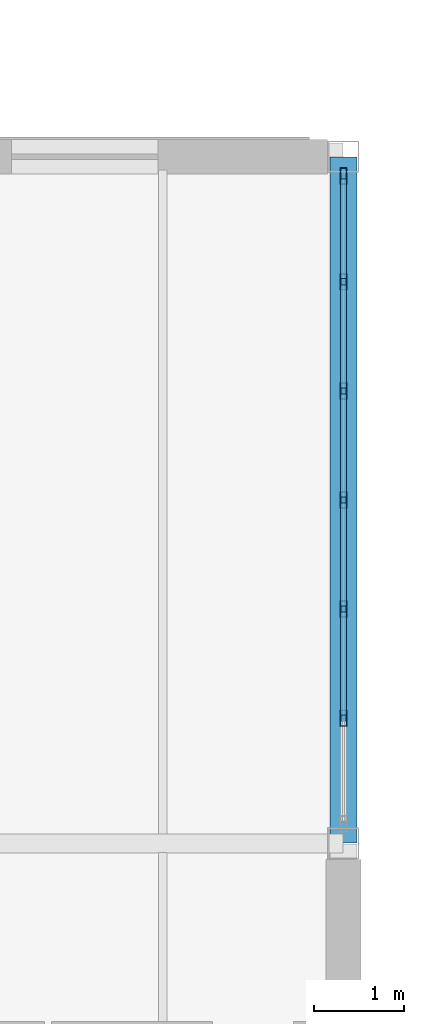
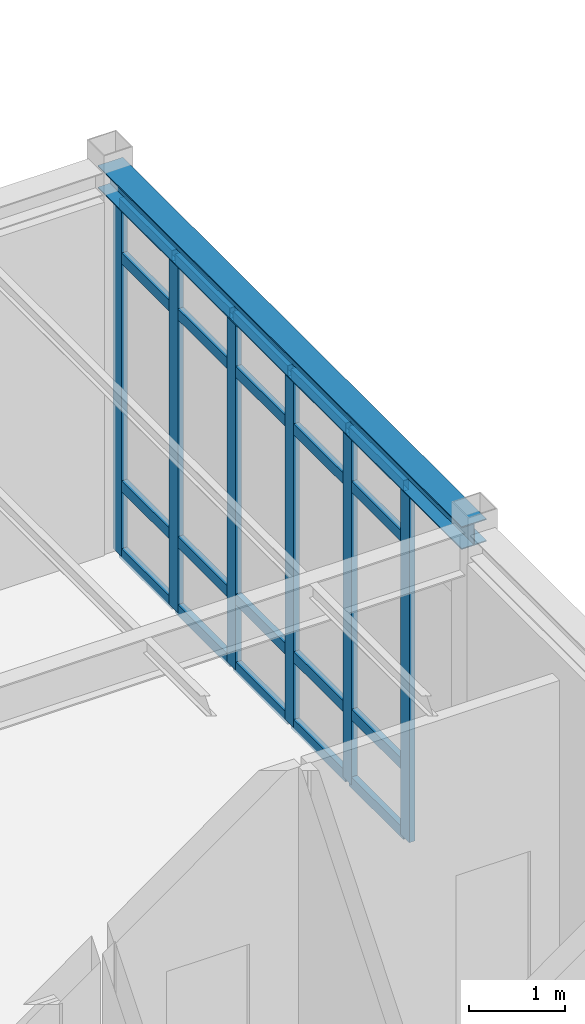
# One storey, part 70 of 109: 26 members, 1 beam, 1 element without a shape of its own.
"""IFC4 building model written with IfcOpenShell, lengths in metres."""

import ifcopenshell
import ifcopenshell.guid

model = None  # the IFC model being written
_history = None  # IfcOwnerHistory: only IFC2X3 demands one
_inside = {}  # id of a spatial element -> (the spatial element, [elements in it])
_under = {}  # id of a project, library or spatial element -> (it, [spatial elements below it])
_declared = {}  # id of a project -> (the project, [libraries it declares])
_typed = {}  # id of a type object -> (the type object, [elements of that type])
_made_of = {}  # id of a material, layer set ... -> (it, [elements and type objects made of it])


def new_model(schema):
    """Start an empty IFC model of exactly this schema.

    Asked for "IFC4X3", IfcOpenShell would pick the latest addendum, in which some entities
    have other attributes; the version numbers below select the first issue.
    IFC2X3 requires an IfcOwnerHistory on every rooted entity: one is made here for all.
    """
    global model, _history
    if schema == "IFC4X3":
        model = ifcopenshell.file(schema_version=(4, 3, 0, 0))
    else:
        model = ifcopenshell.file(schema=schema)
    _inside.clear()
    _under.clear()
    _declared.clear()
    _typed.clear()
    _made_of.clear()
    _history = None
    if model.schema == "IFC2X3":
        org = make("IfcOrganization", Name="unknown")
        user = make(
            "IfcPersonAndOrganization",
            ThePerson=make("IfcPerson", FamilyName="unknown"),
            TheOrganization=org,
        )
        app = make(
            "IfcApplication",
            ApplicationDeveloper=org,
            Version="unknown",
            ApplicationFullName="unknown",
            ApplicationIdentifier="unknown",
        )
        _history = make(
            "IfcOwnerHistory",
            OwningUser=user,
            OwningApplication=app,
            ChangeAction="ADDED",
            CreationDate=0,
        )
    return model


def make(cls, **values):
    """One entity of the class cls with the attributes given. An attribute that is None is left unset."""
    return model.create_entity(
        cls, **{name: value for name, value in values.items() if value is not None}
    )


def rooted(cls, **values):
    """An entity with a GlobalId (a new one), such as an element, a storey or a relation."""
    return make(cls, GlobalId=ifcopenshell.guid.new(), OwnerHistory=_history, **values)


def si_unit(unit_type, name, prefix=None):
    """IfcSIUnit, for example si_unit("LENGTHUNIT", "METRE", prefix="MILLI")."""
    return make("IfcSIUnit", UnitType=unit_type, Prefix=prefix, Name=name)


def assignment(units):
    """IfcUnitAssignment: the units of a project."""
    return None if units is None else make("IfcUnitAssignment", Units=units)


def point(xyz):
    """IfcCartesianPoint."""
    return None if xyz is None else make("IfcCartesianPoint", Coordinates=xyz)


def direction(xyz):
    """IfcDirection."""
    return None if xyz is None else make("IfcDirection", DirectionRatios=xyz)


def frame(location, z_axis=None, x_axis=None):
    """IfcAxis2Placement3D, a coordinate frame: its origin and axes. An axis left out is left unset."""
    return make(
        "IfcAxis2Placement3D",
        Location=point(location),
        Axis=direction(z_axis),
        RefDirection=direction(x_axis),
    )


def frame_2d(location, x_axis=None):
    """IfcAxis2Placement2D, a coordinate frame in the plane: its origin and x axis."""
    return make(
        "IfcAxis2Placement2D", Location=point(location), RefDirection=direction(x_axis)
    )


def origin():
    """The frame at (0, 0, 0) with its axes left unset."""
    return frame((0.0, 0.0, 0.0))


def origin_2d():
    """The frame at (0, 0) in the plane with its x axis left unset."""
    return frame_2d((0.0, 0.0))


def place(relative_to, where):
    """IfcLocalPlacement: puts the frame where relative to a parent placement (None: the world)."""
    return make(
        "IfcLocalPlacement", PlacementRelTo=relative_to, RelativePlacement=where
    )


def context(
    kind, dimensions, precision=None, world=None, true_north=None, identifier=None
):
    """IfcGeometricRepresentationContext, for example the 3D "Model" context."""
    return make(
        "IfcGeometricRepresentationContext",
        ContextIdentifier=identifier,
        ContextType=kind,
        CoordinateSpaceDimension=dimensions,
        Precision=precision,
        WorldCoordinateSystem=world,
        TrueNorth=true_north,
    )


def subcontext(parent, identifier, kind, view, scale=None):
    """IfcGeometricRepresentationSubContext, for example "Body" below "Model"."""
    return make(
        "IfcGeometricRepresentationSubContext",
        ContextIdentifier=identifier,
        ContextType=kind,
        ParentContext=parent,
        TargetScale=scale,
        TargetView=view,
    )


def project(units=None, contexts=None):
    """IfcProject with its units and contexts."""
    return rooted(
        "IfcProject",
        Name="project",
        RepresentationContexts=contexts,
        UnitsInContext=assignment(units),
    )


def spatial(cls, under=None, at=None, **own):
    """A site, building, storey or space (cls), placed at a placement, below another one or the project."""
    s = rooted(cls, ObjectPlacement=at, **own)
    if under is not None:
        _under.setdefault(under.id(), (under, []))[1].append(s)
    return s


def profile(cls, at=None, kind="AREA", **sizes):
    """A parametric profile (cls). Its sizes go by their IFC names, for example OverallWidth=200.0."""
    return make(cls, ProfileType=kind, Position=at, **sizes)


def hollow_rectangle(**sizes):
    """IfcRectangleHollowProfileDef."""
    return profile("IfcRectangleHollowProfileDef", **sizes)


def i_section(**sizes):
    """IfcIShapeProfileDef."""
    return profile("IfcIShapeProfileDef", **sizes)


def extrude(swept, where, along, depth):
    """IfcExtrudedAreaSolid: the profile swept, set in the frame where, extruded along a direction by depth."""
    return make(
        "IfcExtrudedAreaSolid",
        SweptArea=swept,
        Position=where,
        ExtrudedDirection=direction(along),
        Depth=depth,
    )


def shape(context_of_items, identifier, shape_type, items):
    """IfcShapeRepresentation: the items that make up one representation, for example the "Body"."""
    return make(
        "IfcShapeRepresentation",
        ContextOfItems=context_of_items,
        RepresentationIdentifier=identifier,
        RepresentationType=shape_type,
        Items=items,
    )


def material(Name=None, Category=None):
    """IfcMaterial."""
    return make("IfcMaterial", Name=Name, Category=Category)


def layer(
    of_material, thickness, ventilated=None, Name=None, Category=None, Priority=None
):
    """IfcMaterialLayer: one layer of a wall or slab, of a material (None: an air gap)."""
    return make(
        "IfcMaterialLayer",
        Material=of_material,
        LayerThickness=thickness,
        IsVentilated=ventilated,
        Name=Name,
        Category=Category,
        Priority=Priority,
    )


def layer_set(layers, Name=None):
    """IfcMaterialLayerSet."""
    return make("IfcMaterialLayerSet", MaterialLayers=layers, LayerSetName=Name)


def material_profile(
    of_material, cross_section, Name=None, Category=None, Priority=None
):
    """IfcMaterialProfile: a cross section and its material."""
    return make(
        "IfcMaterialProfile",
        Name=Name,
        Material=of_material,
        Profile=cross_section,
        Priority=Priority,
        Category=Category,
    )


def profile_set(profiles, Name=None, composite=None):
    """IfcMaterialProfileSet."""
    return make(
        "IfcMaterialProfileSet",
        Name=Name,
        MaterialProfiles=profiles,
        CompositeProfile=composite,
    )


def made_of(thing, what):
    """Note that an element or type object is made of a material, layer set ...; save() writes the relation."""
    if what is not None:
        _made_of.setdefault(what.id(), (what, []))[1].append(thing)
    return thing


def type_object(cls, material=None, **own):
    """A type object (cls), such as IfcWallType, which elements share."""
    return made_of(rooted(cls, **own), material)


def element(
    cls,
    number,
    at=None,
    inside=None,
    cuts=None,
    type_object=None,
    material=None,
    context=None,
    identifier="Body",
    shape_type=None,
    held_by="IfcProductDefinitionShape",
    body=None,
    shapes=None,
    **own,
):
    """One element of the class cls, such as IfcWall. Its Tag is "e" and its number.

    at: its placement. inside: the storey or other place that contains it. cuts: it is an
    opening in that element (IfcRelVoidsElement). A single representation is given by context,
    identifier, shape_type and body (its items); several are given by shapes. held_by: the class
    of the entity that holds the representations. save() writes the other relations.
    """
    e = rooted(cls, Tag="e%d" % number, ObjectPlacement=at, **own)
    if body is not None:
        shapes = [shape(context, identifier, shape_type, body)]
    if shapes is not None:
        e.Representation = make(held_by, Representations=shapes)
    if inside is not None:
        _inside.setdefault(inside.id(), (inside, []))[1].append(e)
    if cuts is not None:
        rooted(
            "IfcRelVoidsElement", RelatingBuildingElement=cuts, RelatedOpeningElement=e
        )
    if type_object is not None:
        _typed.setdefault(type_object.id(), (type_object, []))[1].append(e)
    return made_of(e, material)


def aggregate(whole, parts):
    """IfcRelAggregates: a whole, such as a stair, and the parts it consists of."""
    return rooted("IfcRelAggregates", RelatingObject=whole, RelatedObjects=parts)


def save(model, path):
    """Write the relations noted so far, then the file.

    IfcRelAggregates (storeys below a building ...), IfcRelContainedInSpatialStructure (elements
    in a storey), IfcRelDefinesByType, IfcRelAssociatesMaterial and IfcRelDeclares: one each for
    every whole, place, type object, material and project.
    """
    for whole, parts in _under.values():
        aggregate(whole, parts)
    for where, things in _inside.values():
        rooted(
            "IfcRelContainedInSpatialStructure",
            RelatedElements=things,
            RelatingStructure=where,
        )
    for kind, things in _typed.values():
        rooted("IfcRelDefinesByType", RelatedObjects=things, RelatingType=kind)
    for what, things in _made_of.values():
        rooted("IfcRelAssociatesMaterial", RelatedObjects=things, RelatingMaterial=what)
    for by, libraries in _declared.values():
        rooted("IfcRelDeclares", RelatingContext=by, RelatedDefinitions=libraries)
    model.write(path)


model = new_model("IFC4")

# Units and contexts
model_context = context("Model", 3, precision=1e-05, world=origin(), true_north=direction((0.0, 1.0)))
body_context = subcontext(model_context, "Body", "Model", "MODEL_VIEW")
ifc_project = project(units=[si_unit("LENGTHUNIT", "METRE"), si_unit("AREAUNIT", "SQUARE_METRE"), si_unit("VOLUMEUNIT", "CUBIC_METRE"), si_unit("PLANEANGLEUNIT", "RADIAN"), si_unit("MASSUNIT", "GRAM", prefix="KILO")], contexts=[model_context])

# Site, building, storey
site_placement = place(None, origin())
site = spatial("IfcSite", under=ifc_project, at=site_placement, CompositionType="ELEMENT")
building_placement = place(site_placement, origin())
building = spatial("IfcBuilding", under=site, at=building_placement, Name="Montecoro Central Library", CompositionType="ELEMENT")
storey_placement = place(building_placement, origin())
storey = spatial("IfcBuildingStorey", under=building, at=storey_placement, Name="L00", CompositionType="ELEMENT", Elevation=0.0)

# Beam
ifc_material_1 = material(Name="Steel S355", Category="steel")
ifc_material_profile_1 = material_profile(ifc_material_1, i_section(OverallWidth=0.300048828125, OverallDepth=0.2900390625, WebThickness=0.008544921875, FlangeThickness=0.013916015625, at=origin_2d()), Name="HEA 300")
ifc_profile_set_1 = profile_set([ifc_material_profile_1], Name="Steel S355")
beam_type = type_object("IfcBeamType", Name="BM-SP-HEA300", PredefinedType="SPANDREL", material=ifc_profile_set_1)
beam_placement = place(storey_placement, frame((173.0, 35.405029296875, 4.699951171875), z_axis=(0.0, 1.0, 0.0), x_axis=(-1.0, 0.0, 0.0)))
element("IfcBeam", 1, at=beam_placement, inside=storey, type_object=beam_type, Name="V6-L00-BY-22-EF", PredefinedType="SPANDREL", context=body_context, shape_type="SweptSolid", body=[
    extrude(i_section(OverallWidth=0.300048828125, OverallDepth=0.2900390625, WebThickness=0.008544921875, FlangeThickness=0.013916015625, at=origin_2d()), origin(), (0.0, 0.0, 1.0), 7.590087890625),
])

# Curtain wall, members
ifc_material_2 = material(Name="Bronze-anodised aluminium and low-E glazing", Category="aluminium")
ifc_layer = layer(ifc_material_2, 0.159912109375)
ifc_layer_set = layer_set([ifc_layer], Name="Bronze-anodised aluminium and low-E glazing")
curtain_wall_type = type_object("IfcCurtainWallType", Name="CWT-058", PredefinedType="NOTDEFINED", material=ifc_layer_set)
curtain_wall_placement = place(storey_placement, origin())
curtain_wall = element("IfcCurtainWall", 2, at=curtain_wall_placement, inside=storey, type_object=curtain_wall_type, Name="V6-L00-CW-E4", PredefinedType="NOTDEFINED")
ifc_material_3 = material(Name="Bronze-anodised aluminium", Category="aluminium")
ifc_material_profile_2 = material_profile(ifc_material_3, hollow_rectangle(XDim=0.070068359375, YDim=0.179931640625, WallThickness=0.0048828125, at=origin_2d()), Name="CWM 180x70x5.0")
ifc_profile_set_2 = profile_set([ifc_material_profile_2], Name="Bronze-anodised aluminium")
member_type_1 = type_object("IfcMemberType", Name="CWM-BRZ-70", PredefinedType="MULLION", material=ifc_profile_set_2)
member_1_placement = place(storey_placement, frame((173.0, 36.785400390625, 0.0), z_axis=(0.0, 0.0, 1.0), x_axis=(-1.0, 0.0, 0.0)))
member_1 = element("IfcMember", 3, at=member_1_placement, type_object=member_type_1, Name="CW-058 mullion 2", PredefinedType="MULLION", context=body_context, shape_type="SweptSolid", body=[
    extrude(hollow_rectangle(XDim=0.070068359375, YDim=0.179931640625, WallThickness=0.0048828125, at=origin_2d()), origin(), (0.0, 0.0, 1.0), 4.5),
])
member_2_placement = place(storey_placement, frame((173.0, 37.99267578125, 0.0), z_axis=(0.0, 0.0, 1.0), x_axis=(-1.0, 0.0, 0.0)))
member_2 = element("IfcMember", 4, at=member_2_placement, type_object=member_type_1, Name="CW-058 mullion 3", PredefinedType="MULLION", context=body_context, shape_type="SweptSolid", body=[
    extrude(hollow_rectangle(XDim=0.070068359375, YDim=0.179931640625, WallThickness=0.0048828125, at=origin_2d()), origin(), (0.0, 0.0, 1.0), 4.5),
])
member_3_placement = place(storey_placement, frame((173.0, 39.199951171875, 0.0), z_axis=(0.0, 0.0, 1.0), x_axis=(-1.0, 0.0, 0.0)))
member_3 = element("IfcMember", 5, at=member_3_placement, type_object=member_type_1, Name="CW-058 mullion 4", PredefinedType="MULLION", context=body_context, shape_type="SweptSolid", body=[
    extrude(hollow_rectangle(XDim=0.070068359375, YDim=0.179931640625, WallThickness=0.0048828125, at=origin_2d()), origin(), (0.0, 0.0, 1.0), 4.5),
])
member_4_placement = place(storey_placement, frame((173.0, 40.4072265625, 0.0), z_axis=(0.0, 0.0, 1.0), x_axis=(-1.0, 0.0, 0.0)))
member_4 = element("IfcMember", 6, at=member_4_placement, type_object=member_type_1, Name="CW-058 mullion 5", PredefinedType="MULLION", context=body_context, shape_type="SweptSolid", body=[
    extrude(hollow_rectangle(XDim=0.070068359375, YDim=0.179931640625, WallThickness=0.0048828125, at=origin_2d()), origin(), (0.0, 0.0, 1.0), 4.5),
])
member_5_placement = place(storey_placement, frame((173.0, 41.61474609375, 0.0), z_axis=(0.0, 0.0, 1.0), x_axis=(-1.0, 0.0, 0.0)))
member_5 = element("IfcMember", 7, at=member_5_placement, type_object=member_type_1, Name="CW-058 mullion 6", PredefinedType="MULLION", context=body_context, shape_type="SweptSolid", body=[
    extrude(hollow_rectangle(XDim=0.070068359375, YDim=0.179931640625, WallThickness=0.0048828125, at=origin_2d()), origin(), (0.0, 0.0, 1.0), 4.5),
])
member_6_placement = place(storey_placement, frame((173.0, 42.787109375, 0.0), z_axis=(0.0, 0.0, 1.0), x_axis=(-1.0, 0.0, 0.0)))
member_6 = element("IfcMember", 8, at=member_6_placement, type_object=member_type_1, Name="CW-058 mullion 7", PredefinedType="MULLION", context=body_context, shape_type="SweptSolid", body=[
    extrude(hollow_rectangle(XDim=0.070068359375, YDim=0.179931640625, WallThickness=0.0048828125, at=origin_2d()), origin(), (0.0, 0.0, 1.0), 4.5),
])
ifc_material_profile_3 = material_profile(ifc_material_3, hollow_rectangle(XDim=0.070068359375, YDim=0.139892578125, WallThickness=0.00390625, at=origin_2d()), Name="CWT 140x70x4.0")
ifc_profile_set_3 = profile_set([ifc_material_profile_3], Name="Bronze-anodised aluminium")
member_type_2 = type_object("IfcMemberType", Name="CWT-BRZ-70", PredefinedType="USERDEFINED", material=ifc_profile_set_3)
member_7_placement = place(storey_placement, frame((173.0, 36.8203125, 0.034912109375), z_axis=(0.0, 1.0, 0.0), x_axis=(-1.0, 0.0, 0.0)))
member_7 = element("IfcMember", 9, at=member_7_placement, type_object=member_type_2, Name="CW-058 transom 2.1", ObjectType="TRANSOM", PredefinedType="USERDEFINED", context=body_context, shape_type="SweptSolid", body=[
    extrude(hollow_rectangle(XDim=0.070068359375, YDim=0.139892578125, WallThickness=0.00390625, at=origin_2d()), origin(), (0.0, 0.0, 1.0), 1.137451171875),
])
member_8_placement = place(storey_placement, frame((173.0, 36.8203125, 0.89990234375), z_axis=(0.0, 1.0, 0.0), x_axis=(-1.0, 0.0, 0.0)))
member_8 = element("IfcMember", 10, at=member_8_placement, type_object=member_type_2, Name="CW-058 transom 2.2", ObjectType="TRANSOM", PredefinedType="USERDEFINED", context=body_context, shape_type="SweptSolid", body=[
    extrude(hollow_rectangle(XDim=0.070068359375, YDim=0.139892578125, WallThickness=0.00390625, at=origin_2d()), origin(), (0.0, 0.0, 1.0), 1.137451171875),
])
member_9_placement = place(storey_placement, frame((173.0, 36.8203125, 3.800048828125), z_axis=(0.0, 1.0, 0.0), x_axis=(-1.0, 0.0, 0.0)))
member_9 = element("IfcMember", 11, at=member_9_placement, type_object=member_type_2, Name="CW-058 transom 2.3", ObjectType="TRANSOM", PredefinedType="USERDEFINED", context=body_context, shape_type="SweptSolid", body=[
    extrude(hollow_rectangle(XDim=0.070068359375, YDim=0.139892578125, WallThickness=0.00390625, at=origin_2d()), origin(), (0.0, 0.0, 1.0), 1.137451171875),
])
member_10_placement = place(storey_placement, frame((173.0, 36.8203125, 4.465087890625), z_axis=(0.0, 1.0, 0.0), x_axis=(-1.0, 0.0, 0.0)))
member_10 = element("IfcMember", 12, at=member_10_placement, type_object=member_type_2, Name="CW-058 transom 2.4", ObjectType="TRANSOM", PredefinedType="USERDEFINED", context=body_context, shape_type="SweptSolid", body=[
    extrude(hollow_rectangle(XDim=0.070068359375, YDim=0.139892578125, WallThickness=0.00390625, at=origin_2d()), origin(), (0.0, 0.0, 1.0), 1.137451171875),
])
member_11_placement = place(storey_placement, frame((173.0, 38.027587890625, 0.034912109375), z_axis=(0.0, 1.0, 0.0), x_axis=(-1.0, 0.0, 0.0)))
member_11 = element("IfcMember", 13, at=member_11_placement, type_object=member_type_2, Name="CW-058 transom 3.1", ObjectType="TRANSOM", PredefinedType="USERDEFINED", context=body_context, shape_type="SweptSolid", body=[
    extrude(hollow_rectangle(XDim=0.070068359375, YDim=0.139892578125, WallThickness=0.00390625, at=origin_2d()), origin(), (0.0, 0.0, 1.0), 1.137451171875),
])
member_12_placement = place(storey_placement, frame((173.0, 38.027587890625, 0.89990234375), z_axis=(0.0, 1.0, 0.0), x_axis=(-1.0, 0.0, 0.0)))
member_12 = element("IfcMember", 14, at=member_12_placement, type_object=member_type_2, Name="CW-058 transom 3.2", ObjectType="TRANSOM", PredefinedType="USERDEFINED", context=body_context, shape_type="SweptSolid", body=[
    extrude(hollow_rectangle(XDim=0.070068359375, YDim=0.139892578125, WallThickness=0.00390625, at=origin_2d()), origin(), (0.0, 0.0, 1.0), 1.137451171875),
])
member_13_placement = place(storey_placement, frame((173.0, 38.027587890625, 3.800048828125), z_axis=(0.0, 1.0, 0.0), x_axis=(-1.0, 0.0, 0.0)))
member_13 = element("IfcMember", 15, at=member_13_placement, type_object=member_type_2, Name="CW-058 transom 3.3", ObjectType="TRANSOM", PredefinedType="USERDEFINED", context=body_context, shape_type="SweptSolid", body=[
    extrude(hollow_rectangle(XDim=0.070068359375, YDim=0.139892578125, WallThickness=0.00390625, at=origin_2d()), origin(), (0.0, 0.0, 1.0), 1.137451171875),
])
member_14_placement = place(storey_placement, frame((173.0, 38.027587890625, 4.465087890625), z_axis=(0.0, 1.0, 0.0), x_axis=(-1.0, 0.0, 0.0)))
member_14 = element("IfcMember", 16, at=member_14_placement, type_object=member_type_2, Name="CW-058 transom 3.4", ObjectType="TRANSOM", PredefinedType="USERDEFINED", context=body_context, shape_type="SweptSolid", body=[
    extrude(hollow_rectangle(XDim=0.070068359375, YDim=0.139892578125, WallThickness=0.00390625, at=origin_2d()), origin(), (0.0, 0.0, 1.0), 1.137451171875),
])
member_15_placement = place(storey_placement, frame((173.0, 39.235107421875, 0.034912109375), z_axis=(0.0, 1.0, 0.0), x_axis=(-1.0, 0.0, 0.0)))
member_15 = element("IfcMember", 17, at=member_15_placement, type_object=member_type_2, Name="CW-058 transom 4.1", ObjectType="TRANSOM", PredefinedType="USERDEFINED", context=body_context, shape_type="SweptSolid", body=[
    extrude(hollow_rectangle(XDim=0.070068359375, YDim=0.139892578125, WallThickness=0.00390625, at=origin_2d()), origin(), (0.0, 0.0, 1.0), 1.13720703125),
])
member_16_placement = place(storey_placement, frame((173.0, 39.235107421875, 0.89990234375), z_axis=(0.0, 1.0, 0.0), x_axis=(-1.0, 0.0, 0.0)))
member_16 = element("IfcMember", 18, at=member_16_placement, type_object=member_type_2, Name="CW-058 transom 4.2", ObjectType="TRANSOM", PredefinedType="USERDEFINED", context=body_context, shape_type="SweptSolid", body=[
    extrude(hollow_rectangle(XDim=0.070068359375, YDim=0.139892578125, WallThickness=0.00390625, at=origin_2d()), origin(), (0.0, 0.0, 1.0), 1.13720703125),
])
member_17_placement = place(storey_placement, frame((173.0, 39.235107421875, 3.800048828125), z_axis=(0.0, 1.0, 0.0), x_axis=(-1.0, 0.0, 0.0)))
member_17 = element("IfcMember", 19, at=member_17_placement, type_object=member_type_2, Name="CW-058 transom 4.3", ObjectType="TRANSOM", PredefinedType="USERDEFINED", context=body_context, shape_type="SweptSolid", body=[
    extrude(hollow_rectangle(XDim=0.070068359375, YDim=0.139892578125, WallThickness=0.00390625, at=origin_2d()), origin(), (0.0, 0.0, 1.0), 1.13720703125),
])
member_18_placement = place(storey_placement, frame((173.0, 39.235107421875, 4.465087890625), z_axis=(0.0, 1.0, 0.0), x_axis=(-1.0, 0.0, 0.0)))
member_18 = element("IfcMember", 20, at=member_18_placement, type_object=member_type_2, Name="CW-058 transom 4.4", ObjectType="TRANSOM", PredefinedType="USERDEFINED", context=body_context, shape_type="SweptSolid", body=[
    extrude(hollow_rectangle(XDim=0.070068359375, YDim=0.139892578125, WallThickness=0.00390625, at=origin_2d()), origin(), (0.0, 0.0, 1.0), 1.13720703125),
])
member_19_placement = place(storey_placement, frame((173.0, 40.4423828125, 0.034912109375), z_axis=(0.0, 1.0, 0.0), x_axis=(-1.0, 0.0, 0.0)))
member_19 = element("IfcMember", 21, at=member_19_placement, type_object=member_type_2, Name="CW-058 transom 5.1", ObjectType="TRANSOM", PredefinedType="USERDEFINED", context=body_context, shape_type="SweptSolid", body=[
    extrude(hollow_rectangle(XDim=0.070068359375, YDim=0.139892578125, WallThickness=0.00390625, at=origin_2d()), origin(), (0.0, 0.0, 1.0), 1.13720703125),
])
member_20_placement = place(storey_placement, frame((173.0, 40.4423828125, 0.89990234375), z_axis=(0.0, 1.0, 0.0), x_axis=(-1.0, 0.0, 0.0)))
member_20 = element("IfcMember", 22, at=member_20_placement, type_object=member_type_2, Name="CW-058 transom 5.2", ObjectType="TRANSOM", PredefinedType="USERDEFINED", context=body_context, shape_type="SweptSolid", body=[
    extrude(hollow_rectangle(XDim=0.070068359375, YDim=0.139892578125, WallThickness=0.00390625, at=origin_2d()), origin(), (0.0, 0.0, 1.0), 1.13720703125),
])
member_21_placement = place(storey_placement, frame((173.0, 40.4423828125, 3.800048828125), z_axis=(0.0, 1.0, 0.0), x_axis=(-1.0, 0.0, 0.0)))
member_21 = element("IfcMember", 23, at=member_21_placement, type_object=member_type_2, Name="CW-058 transom 5.3", ObjectType="TRANSOM", PredefinedType="USERDEFINED", context=body_context, shape_type="SweptSolid", body=[
    extrude(hollow_rectangle(XDim=0.070068359375, YDim=0.139892578125, WallThickness=0.00390625, at=origin_2d()), origin(), (0.0, 0.0, 1.0), 1.13720703125),
])
member_22_placement = place(storey_placement, frame((173.0, 40.4423828125, 4.465087890625), z_axis=(0.0, 1.0, 0.0), x_axis=(-1.0, 0.0, 0.0)))
member_22 = element("IfcMember", 24, at=member_22_placement, type_object=member_type_2, Name="CW-058 transom 5.4", ObjectType="TRANSOM", PredefinedType="USERDEFINED", context=body_context, shape_type="SweptSolid", body=[
    extrude(hollow_rectangle(XDim=0.070068359375, YDim=0.139892578125, WallThickness=0.00390625, at=origin_2d()), origin(), (0.0, 0.0, 1.0), 1.13720703125),
])
member_23_placement = place(storey_placement, frame((173.0, 41.649658203125, 0.034912109375), z_axis=(0.0, 1.0, 0.0), x_axis=(-1.0, 0.0, 0.0)))
member_23 = element("IfcMember", 25, at=member_23_placement, type_object=member_type_2, Name="CW-058 transom 6.1", ObjectType="TRANSOM", PredefinedType="USERDEFINED", context=body_context, shape_type="SweptSolid", body=[
    extrude(hollow_rectangle(XDim=0.070068359375, YDim=0.139892578125, WallThickness=0.00390625, at=origin_2d()), origin(), (0.0, 0.0, 1.0), 1.102294921875),
])
member_24_placement = place(storey_placement, frame((173.0, 41.649658203125, 0.89990234375), z_axis=(0.0, 1.0, 0.0), x_axis=(-1.0, 0.0, 0.0)))
member_24 = element("IfcMember", 26, at=member_24_placement, type_object=member_type_2, Name="CW-058 transom 6.2", ObjectType="TRANSOM", PredefinedType="USERDEFINED", context=body_context, shape_type="SweptSolid", body=[
    extrude(hollow_rectangle(XDim=0.070068359375, YDim=0.139892578125, WallThickness=0.00390625, at=origin_2d()), origin(), (0.0, 0.0, 1.0), 1.102294921875),
])
member_25_placement = place(storey_placement, frame((173.0, 41.649658203125, 3.800048828125), z_axis=(0.0, 1.0, 0.0), x_axis=(-1.0, 0.0, 0.0)))
member_25 = element("IfcMember", 27, at=member_25_placement, type_object=member_type_2, Name="CW-058 transom 6.3", ObjectType="TRANSOM", PredefinedType="USERDEFINED", context=body_context, shape_type="SweptSolid", body=[
    extrude(hollow_rectangle(XDim=0.070068359375, YDim=0.139892578125, WallThickness=0.00390625, at=origin_2d()), origin(), (0.0, 0.0, 1.0), 1.102294921875),
])
member_26_placement = place(storey_placement, frame((173.0, 41.649658203125, 4.465087890625), z_axis=(0.0, 1.0, 0.0), x_axis=(-1.0, 0.0, 0.0)))
member_26 = element("IfcMember", 28, at=member_26_placement, type_object=member_type_2, Name="CW-058 transom 6.4", ObjectType="TRANSOM", PredefinedType="USERDEFINED", context=body_context, shape_type="SweptSolid", body=[
    extrude(hollow_rectangle(XDim=0.070068359375, YDim=0.139892578125, WallThickness=0.00390625, at=origin_2d()), origin(), (0.0, 0.0, 1.0), 1.102294921875),
])
aggregate(curtain_wall, [member_1, member_2, member_3, member_4, member_5, member_6, member_7, member_8, member_9, member_10, member_11, member_12, member_13, member_14, member_15, member_16, member_17, member_18, member_19, member_20, member_21, member_22, member_23, member_24, member_25, member_26])

save(model, "model.ifc")
